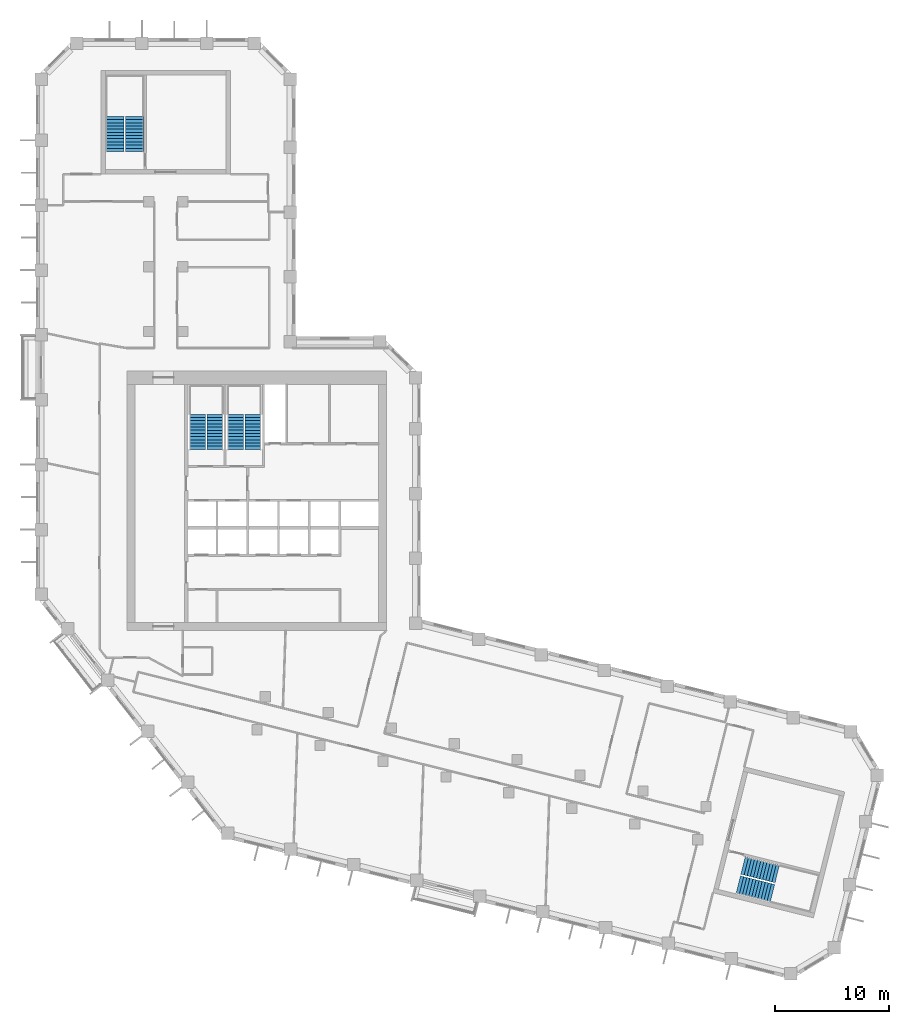
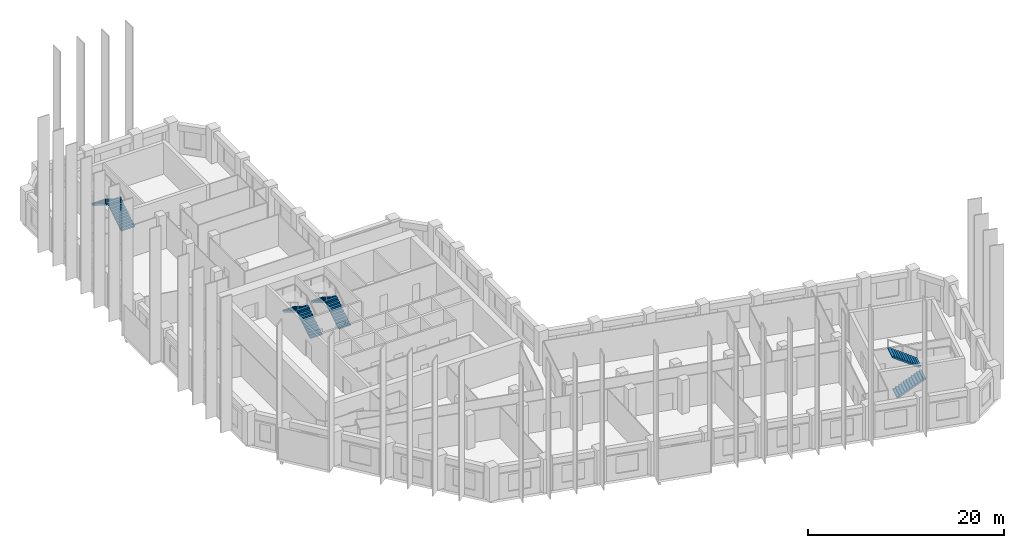
# One storey, part 9 of 10: 8 stair flights, 4 elements without a shape of their own.
"""IFC4 building model written with IfcOpenShell, lengths in metres."""

from ifc_helpers import new_model, si_unit, direction, frame, origin, place, context, subcontext, project, spatial, polyline, outline, extrude, material, type_object, element, aggregate, save


model = new_model("IFC4")

# Units and contexts
model_context = context("Model", 3, precision=1e-05, world=origin(), true_north=direction((0.0, 1.0)))
body_context = subcontext(model_context, "Body", "Model", "MODEL_VIEW")
ifc_project = project(units=[si_unit("LENGTHUNIT", "METRE"), si_unit("AREAUNIT", "SQUARE_METRE"), si_unit("VOLUMEUNIT", "CUBIC_METRE"), si_unit("PLANEANGLEUNIT", "RADIAN"), si_unit("MASSUNIT", "GRAM", prefix="KILO")], contexts=[model_context])

# Site, building, storey
site_placement = place(None, origin())
site = spatial("IfcSite", under=ifc_project, at=site_placement, CompositionType="ELEMENT")
building_placement = place(site_placement, origin())
building = spatial("IfcBuilding", under=site, at=building_placement, Name="Meshkara Civic Tower", CompositionType="ELEMENT")
storey_placement = place(building_placement, frame((0.0, 0.0, 259.199951171875)))
storey = spatial("IfcBuildingStorey", under=building, at=storey_placement, Name="L59", CompositionType="ELEMENT", Elevation=259.199951171875)

# Stair, stair flights
ifc_material_1 = material(Name="Precast concrete C40/50", Category="concrete")
stair_type_1 = type_object("IfcStairType", Name="Exit stair half-turn 24 risers 1600 precast", PredefinedType="HALF_TURN_STAIR", material=ifc_material_1)
stair_1_placement = place(storey_placement, origin())
stair_1 = element("IfcStair", 1, at=stair_1_placement, inside=storey, type_object=stair_type_1, Name="L59 exit stair A from L50", PredefinedType="HALF_TURN_STAIR")
ifc_material_2 = material(Name="Precast concrete C40/50", Category="concrete")
stair_flight_type_1 = type_object("IfcStairFlightType", Name="Exit stair flight 12 risers 1600 precast", PredefinedType="STRAIGHT", material=ifc_material_2)
stair_flight_1_placement = place(storey_placement, frame((8.675048828125, 56.169921875, 0.0), z_axis=(0.0, 0.0, 1.0), x_axis=(0.0, 1.0, 0.0)))
stair_flight_1 = element("IfcStairFlight", 2, at=stair_flight_1_placement, type_object=stair_flight_type_1, Name="ESA4 flight 1", NumberOfRisers=12, NumberOfTreads=11, PredefinedType="STRAIGHT", RiserHeight=0.175, TreadLength=0.28, context=body_context, shape_type="SweptSolid", body=[
    extrude(outline(polyline([(0.0, 0.0), (0.0, 0.175048828125), (0.280029296875, 0.175048828125), (0.280029296875, 0.35009765625), (0.56005859375, 0.35009765625), (0.56005859375, 0.52490234375), (0.840087890625, 0.52490234375), (0.840087890625, 0.699951171875), (1.1201171875, 0.699951171875), (1.1201171875, 0.875), (1.39990234375, 0.875), (1.39990234375, 1.050048828125), (1.679931640625, 1.050048828125), (1.679931640625, 1.22509765625), (1.9599609375, 1.22509765625), (1.9599609375, 1.39990234375), (2.239990234375, 1.39990234375), (2.239990234375, 1.574951171875), (2.52001953125, 1.574951171875), (2.52001953125, 1.75), (2.800048828125, 1.75), (2.800048828125, 1.925048828125), (3.080078125, 1.925048828125), (3.080078125, 2.10009765625), (3.080078125, 1.748291015625), (0.28271484375, 0.0), (0.0, 0.0)])), frame((0.0, 0.800048828125, 0.0), z_axis=(0.0, -1.0, 0.0), x_axis=(1.0, 0.0, 0.0)), (0.0, 0.0, 1.0), 1.60009765625),
])
stair_flight_2_placement = place(storey_placement, frame((6.925048828125, 59.25, 2.10009765625), z_axis=(0.0, 0.0, 1.0), x_axis=(0.0, -1.0, 0.0)))
stair_flight_2 = element("IfcStairFlight", 3, at=stair_flight_2_placement, type_object=stair_flight_type_1, Name="ESA4 flight 2", NumberOfRisers=12, NumberOfTreads=11, PredefinedType="STRAIGHT", RiserHeight=0.175, TreadLength=0.28, context=body_context, shape_type="SweptSolid", body=[
    extrude(outline(polyline([(0.0, 0.0), (0.0, 0.175048828125), (0.280029296875, 0.175048828125), (0.280029296875, 0.35009765625), (0.56005859375, 0.35009765625), (0.56005859375, 0.52490234375), (0.840087890625, 0.52490234375), (0.840087890625, 0.699951171875), (1.1201171875, 0.699951171875), (1.1201171875, 0.875), (1.39990234375, 0.875), (1.39990234375, 1.050048828125), (1.679931640625, 1.050048828125), (1.679931640625, 1.22509765625), (1.9599609375, 1.22509765625), (1.9599609375, 1.39990234375), (2.239990234375, 1.39990234375), (2.239990234375, 1.574951171875), (2.52001953125, 1.574951171875), (2.52001953125, 1.75), (2.800048828125, 1.75), (2.800048828125, 1.925048828125), (3.080078125, 1.925048828125), (3.080078125, 2.10009765625), (3.080078125, 1.748291015625), (0.28271484375, 0.0), (0.0, 0.0)])), frame((0.0, 0.800048828125, 0.0), z_axis=(0.0, -1.0, 0.0), x_axis=(1.0, 0.0, 0.0)), (0.0, 0.0, 1.0), 1.60009765625),
])
aggregate(stair_1, [stair_flight_1, stair_flight_2])

stair_2_placement = place(storey_placement, origin())
stair_2 = element("IfcStair", 4, at=stair_2_placement, inside=storey, type_object=stair_type_1, Name="L59 exit stair B from L50", PredefinedType="HALF_TURN_STAIR")
stair_flight_3_placement = place(storey_placement, frame((61.70751953125, -8.248291015625, 0.0), z_axis=(0.0, 0.0, 1.0), x_axis=(0.970260066579, -0.242064873955, 0.0)))
stair_flight_3 = element("IfcStairFlight", 5, at=stair_flight_3_placement, type_object=stair_flight_type_1, Name="ESB4 flight 1", NumberOfRisers=12, NumberOfTreads=11, PredefinedType="STRAIGHT", RiserHeight=0.175, TreadLength=0.28, context=body_context, shape_type="SweptSolid", body=[
    extrude(outline(polyline([(0.0, 0.0), (0.0, 0.175048828125), (0.280029296875, 0.175048828125), (0.280029296875, 0.35009765625), (0.56005859375, 0.35009765625), (0.56005859375, 0.52490234375), (0.840087890625, 0.52490234375), (0.840087890625, 0.699951171875), (1.1201171875, 0.699951171875), (1.1201171875, 0.875), (1.39990234375, 0.875), (1.39990234375, 1.050048828125), (1.679931640625, 1.050048828125), (1.679931640625, 1.22509765625), (1.9599609375, 1.22509765625), (1.9599609375, 1.39990234375), (2.239990234375, 1.39990234375), (2.239990234375, 1.574951171875), (2.52001953125, 1.574951171875), (2.52001953125, 1.75), (2.800048828125, 1.75), (2.800048828125, 1.925048828125), (3.080078125, 1.925048828125), (3.080078125, 2.10009765625), (3.080078125, 1.748291015625), (0.28271484375, 0.0), (0.0, 0.0)])), frame((0.0, 0.800048828125, 0.0), z_axis=(0.0, -1.0, 0.0), x_axis=(1.0, 0.0, 0.0)), (0.0, 0.0, 1.0), 1.60009765625),
])
stair_flight_4_placement = place(storey_placement, frame((65.11962890625, -7.2958984375, 2.10009765625), z_axis=(0.0, 0.0, 1.0), x_axis=(-0.970260066579, 0.242064873955, 0.0)))
stair_flight_4 = element("IfcStairFlight", 6, at=stair_flight_4_placement, type_object=stair_flight_type_1, Name="ESB4 flight 2", NumberOfRisers=12, NumberOfTreads=11, PredefinedType="STRAIGHT", RiserHeight=0.175, TreadLength=0.28, context=body_context, shape_type="SweptSolid", body=[
    extrude(outline(polyline([(0.0, 0.0), (0.0, 0.175048828125), (0.280029296875, 0.175048828125), (0.280029296875, 0.35009765625), (0.56005859375, 0.35009765625), (0.56005859375, 0.52490234375), (0.840087890625, 0.52490234375), (0.840087890625, 0.699951171875), (1.1201171875, 0.699951171875), (1.1201171875, 0.875), (1.39990234375, 0.875), (1.39990234375, 1.050048828125), (1.679931640625, 1.050048828125), (1.679931640625, 1.22509765625), (1.9599609375, 1.22509765625), (1.9599609375, 1.39990234375), (2.239990234375, 1.39990234375), (2.239990234375, 1.574951171875), (2.52001953125, 1.574951171875), (2.52001953125, 1.75), (2.800048828125, 1.75), (2.800048828125, 1.925048828125), (3.080078125, 1.925048828125), (3.080078125, 2.10009765625), (3.080078125, 1.748291015625), (0.28271484375, 0.0), (0.0, 0.0)])), frame((0.0, 0.800048828125, 0.0), z_axis=(0.0, -1.0, 0.0), x_axis=(1.0, 0.0, 0.0)), (0.0, 0.0, 1.0), 1.60009765625),
])
aggregate(stair_2, [stair_flight_3, stair_flight_4])

ifc_material_3 = material(Name="Precast concrete C40/50", Category="concrete")
stair_type_2 = type_object("IfcStairType", Name="Exit stair half-turn 24 risers precast", PredefinedType="HALF_TURN_STAIR", material=ifc_material_3)
stair_3_placement = place(storey_placement, origin())
stair_3 = element("IfcStair", 7, at=stair_3_placement, inside=storey, type_object=stair_type_2, Name="L59 exit stair 1", PredefinedType="HALF_TURN_STAIR")
ifc_material_4 = material(Name="Precast concrete C40/50", Category="concrete")
stair_flight_type_2 = type_object("IfcStairFlightType", Name="Exit stair flight 12 risers precast", PredefinedType="STRAIGHT", material=ifc_material_4)
stair_flight_5_placement = place(storey_placement, frame((15.72509765625, 30.0, 0.0), z_axis=(0.0, 0.0, 1.0), x_axis=(0.0, 1.0, 0.0)))
stair_flight_5 = element("IfcStairFlight", 8, at=stair_flight_5_placement, type_object=stair_flight_type_2, Name="ST1 flight 1", NumberOfRisers=12, NumberOfTreads=11, PredefinedType="STRAIGHT", RiserHeight=0.175, TreadLength=0.28, context=body_context, shape_type="SweptSolid", body=[
    extrude(outline(polyline([(0.0, 0.0), (0.0, 0.175048828125), (0.280029296875, 0.175048828125), (0.280029296875, 0.35009765625), (0.56005859375, 0.35009765625), (0.56005859375, 0.52490234375), (0.840087890625, 0.52490234375), (0.840087890625, 0.699951171875), (1.1201171875, 0.699951171875), (1.1201171875, 0.875), (1.39990234375, 0.875), (1.39990234375, 1.050048828125), (1.679931640625, 1.050048828125), (1.679931640625, 1.22509765625), (1.9599609375, 1.22509765625), (1.9599609375, 1.39990234375), (2.239990234375, 1.39990234375), (2.239990234375, 1.574951171875), (2.52001953125, 1.574951171875), (2.52001953125, 1.75), (2.800048828125, 1.75), (2.800048828125, 1.925048828125), (3.080078125, 1.925048828125), (3.080078125, 2.10009765625), (3.080078125, 1.748291015625), (0.28271484375, 0.0), (0.0, 0.0)])), frame((0.0, 0.699951171875, 0.0), z_axis=(0.0, -1.0, 0.0), x_axis=(1.0, 0.0, 0.0)), (0.0, 0.0, 1.0), 1.39990234375),
])
stair_flight_6_placement = place(storey_placement, frame((14.175048828125, 33.080078125, 2.10009765625), z_axis=(0.0, 0.0, 1.0), x_axis=(0.0, -1.0, 0.0)))
stair_flight_6 = element("IfcStairFlight", 9, at=stair_flight_6_placement, type_object=stair_flight_type_2, Name="ST1 flight 2", NumberOfRisers=12, NumberOfTreads=11, PredefinedType="STRAIGHT", RiserHeight=0.175, TreadLength=0.28, context=body_context, shape_type="SweptSolid", body=[
    extrude(outline(polyline([(0.0, 0.0), (0.0, 0.175048828125), (0.280029296875, 0.175048828125), (0.280029296875, 0.35009765625), (0.56005859375, 0.35009765625), (0.56005859375, 0.52490234375), (0.840087890625, 0.52490234375), (0.840087890625, 0.699951171875), (1.1201171875, 0.699951171875), (1.1201171875, 0.875), (1.39990234375, 0.875), (1.39990234375, 1.050048828125), (1.679931640625, 1.050048828125), (1.679931640625, 1.22509765625), (1.9599609375, 1.22509765625), (1.9599609375, 1.39990234375), (2.239990234375, 1.39990234375), (2.239990234375, 1.574951171875), (2.52001953125, 1.574951171875), (2.52001953125, 1.75), (2.800048828125, 1.75), (2.800048828125, 1.925048828125), (3.080078125, 1.925048828125), (3.080078125, 2.10009765625), (3.080078125, 1.748291015625), (0.28271484375, 0.0), (0.0, 0.0)])), frame((0.0, 0.699951171875, 0.0), z_axis=(0.0, -1.0, 0.0), x_axis=(1.0, 0.0, 0.0)), (0.0, 0.0, 1.0), 1.39990234375),
])
aggregate(stair_3, [stair_flight_5, stair_flight_6])

stair_4_placement = place(storey_placement, origin())
stair_4 = element("IfcStair", 10, at=stair_4_placement, inside=storey, type_object=stair_type_2, Name="L59 exit stair 2", PredefinedType="HALF_TURN_STAIR")
stair_flight_7_placement = place(storey_placement, frame((19.074951171875, 30.0, 0.0), z_axis=(0.0, 0.0, 1.0), x_axis=(0.0, 1.0, 0.0)))
stair_flight_7 = element("IfcStairFlight", 11, at=stair_flight_7_placement, type_object=stair_flight_type_2, Name="ST2 flight 1", NumberOfRisers=12, NumberOfTreads=11, PredefinedType="STRAIGHT", RiserHeight=0.175, TreadLength=0.28, context=body_context, shape_type="SweptSolid", body=[
    extrude(outline(polyline([(0.0, 0.0), (0.0, 0.175048828125), (0.280029296875, 0.175048828125), (0.280029296875, 0.35009765625), (0.56005859375, 0.35009765625), (0.56005859375, 0.52490234375), (0.840087890625, 0.52490234375), (0.840087890625, 0.699951171875), (1.1201171875, 0.699951171875), (1.1201171875, 0.875), (1.39990234375, 0.875), (1.39990234375, 1.050048828125), (1.679931640625, 1.050048828125), (1.679931640625, 1.22509765625), (1.9599609375, 1.22509765625), (1.9599609375, 1.39990234375), (2.239990234375, 1.39990234375), (2.239990234375, 1.574951171875), (2.52001953125, 1.574951171875), (2.52001953125, 1.75), (2.800048828125, 1.75), (2.800048828125, 1.925048828125), (3.080078125, 1.925048828125), (3.080078125, 2.10009765625), (3.080078125, 1.748291015625), (0.28271484375, 0.0), (0.0, 0.0)])), frame((0.0, 0.699951171875, 0.0), z_axis=(0.0, -1.0, 0.0), x_axis=(1.0, 0.0, 0.0)), (0.0, 0.0, 1.0), 1.39990234375),
])
stair_flight_8_placement = place(storey_placement, frame((17.52490234375, 33.080078125, 2.10009765625), z_axis=(0.0, 0.0, 1.0), x_axis=(0.0, -1.0, 0.0)))
stair_flight_8 = element("IfcStairFlight", 12, at=stair_flight_8_placement, type_object=stair_flight_type_2, Name="ST2 flight 2", NumberOfRisers=12, NumberOfTreads=11, PredefinedType="STRAIGHT", RiserHeight=0.175, TreadLength=0.28, context=body_context, shape_type="SweptSolid", body=[
    extrude(outline(polyline([(0.0, 0.0), (0.0, 0.175048828125), (0.280029296875, 0.175048828125), (0.280029296875, 0.35009765625), (0.56005859375, 0.35009765625), (0.56005859375, 0.52490234375), (0.840087890625, 0.52490234375), (0.840087890625, 0.699951171875), (1.1201171875, 0.699951171875), (1.1201171875, 0.875), (1.39990234375, 0.875), (1.39990234375, 1.050048828125), (1.679931640625, 1.050048828125), (1.679931640625, 1.22509765625), (1.9599609375, 1.22509765625), (1.9599609375, 1.39990234375), (2.239990234375, 1.39990234375), (2.239990234375, 1.574951171875), (2.52001953125, 1.574951171875), (2.52001953125, 1.75), (2.800048828125, 1.75), (2.800048828125, 1.925048828125), (3.080078125, 1.925048828125), (3.080078125, 2.10009765625), (3.080078125, 1.748291015625), (0.28271484375, 0.0), (0.0, 0.0)])), frame((0.0, 0.699951171875, 0.0), z_axis=(0.0, -1.0, 0.0), x_axis=(1.0, 0.0, 0.0)), (0.0, 0.0, 1.0), 1.39990234375),
])
aggregate(stair_4, [stair_flight_7, stair_flight_8])

save(model, "model.ifc")
